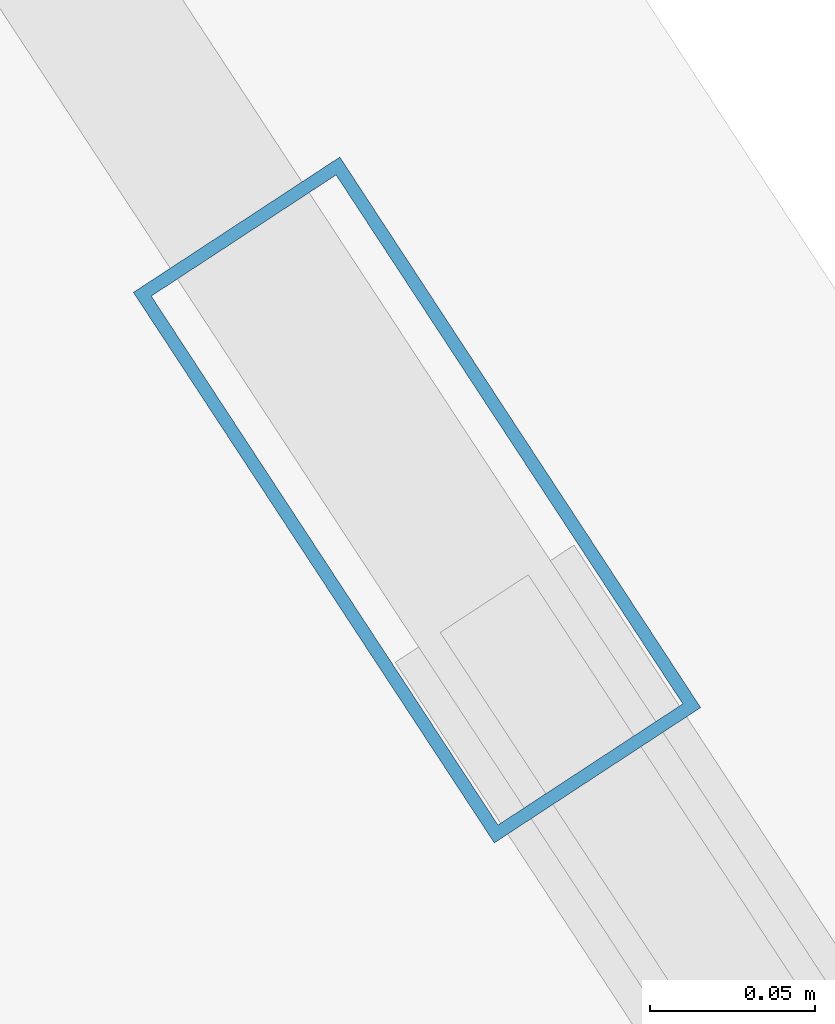
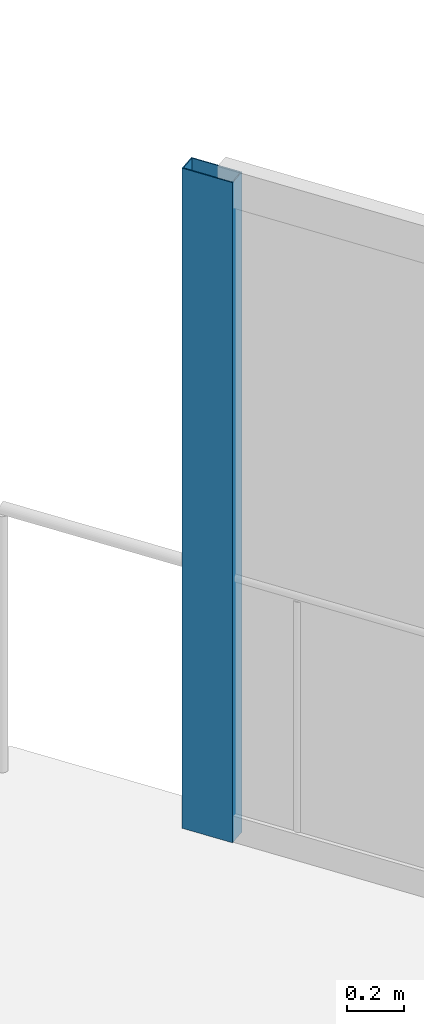
# One storey, part 5 of 13: 1 member, 1 element without a shape of its own.
"""IFC4 building model written with IfcOpenShell, lengths in metres."""

from ifc_helpers import new_model, si_unit, direction, frame, origin, origin_2d, place, context, subcontext, project, spatial, hollow_rectangle, extrude, material, layer, layer_set, material_profile, profile_set, type_object, element, aggregate, save


model = new_model("IFC4")

# Units and contexts
model_context = context("Model", 3, precision=1e-05, world=origin(), true_north=direction((0.0, 1.0)))
body_context = subcontext(model_context, "Body", "Model", "MODEL_VIEW")
ifc_project = project(units=[si_unit("LENGTHUNIT", "METRE"), si_unit("AREAUNIT", "SQUARE_METRE"), si_unit("VOLUMEUNIT", "CUBIC_METRE"), si_unit("PLANEANGLEUNIT", "RADIAN"), si_unit("MASSUNIT", "GRAM", prefix="KILO")], contexts=[model_context])

# Site, building, storey
site_placement = place(None, origin())
site = spatial("IfcSite", under=ifc_project, at=site_placement, CompositionType="ELEMENT")
building_placement = place(site_placement, origin())
building = spatial("IfcBuilding", under=site, at=building_placement, Name="Solvane Sanctuary Tower", CompositionType="ELEMENT")
storey_placement = place(building_placement, frame((0.0, 0.0, 85.60009765625)))
storey = spatial("IfcBuildingStorey", under=building, at=storey_placement, Name="L25", CompositionType="ELEMENT", Elevation=85.60009765625)

# Curtain wall, member
ifc_material = material(Name="Anodised Aluminium 6063-T6", Category="aluminium")
ifc_layer = layer(ifc_material, 0.2099609375, Name="Anodised Aluminium 6063-T6")
ifc_layer_set = layer_set([ifc_layer], Name="Anodised Aluminium 6063-T6")
curtain_wall_type = type_object("IfcCurtainWallType", Name="Curtain Wall CW-PORTAL", PredefinedType="NOTDEFINED", material=ifc_layer_set)
curtain_wall_placement = place(storey_placement, origin())
curtain_wall = element("IfcCurtainWall", 1, at=curtain_wall_placement, inside=storey, type_object=curtain_wall_type, Name="L25 CW-PORTAL Facade Run 01", PredefinedType="NOTDEFINED")
ifc_material_profile = material_profile(ifc_material, hollow_rectangle(XDim=0.074951171875, YDim=0.199951171875, WallThickness=0.00390625, at=origin_2d()), Name="ALU200X75X4")
ifc_profile_set = profile_set([ifc_material_profile], Name="Anodised Aluminium 6063-T6")
member_type = type_object("IfcMemberType", Name="Member M-CW-MUL-1 ALU200X75X4", PredefinedType="MULLION", material=ifc_profile_set)
member_placement = place(storey_placement, frame((53.290771484375, 32.0693359375, 0.0), z_axis=(0.0, 0.0, 1.0), x_axis=(-0.8362976391, -0.548275714249, 0.0)))
member = element("IfcMember", 2, at=member_placement, type_object=member_type, Name="CW-PORTAL mullion 2", PredefinedType="MULLION", context=body_context, shape_type="SweptSolid", body=[
    extrude(hollow_rectangle(XDim=0.074951171875, YDim=0.199951171875, WallThickness=0.00390625, at=origin_2d()), origin(), (0.0, 0.0, 1.0), 2.83984375),
])
aggregate(curtain_wall, [member])

save(model, "model.ifc")
